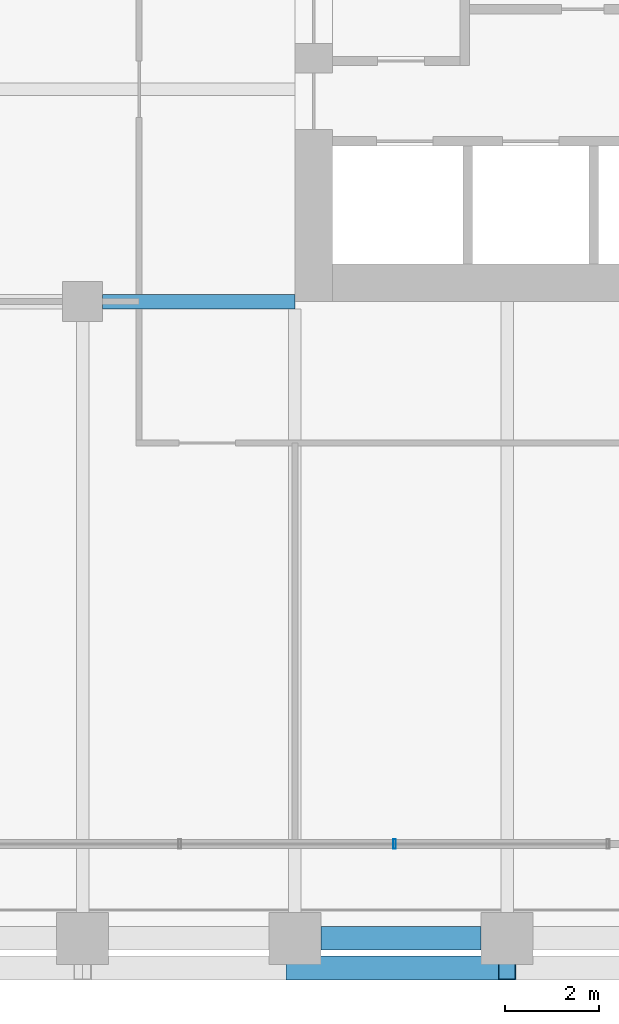
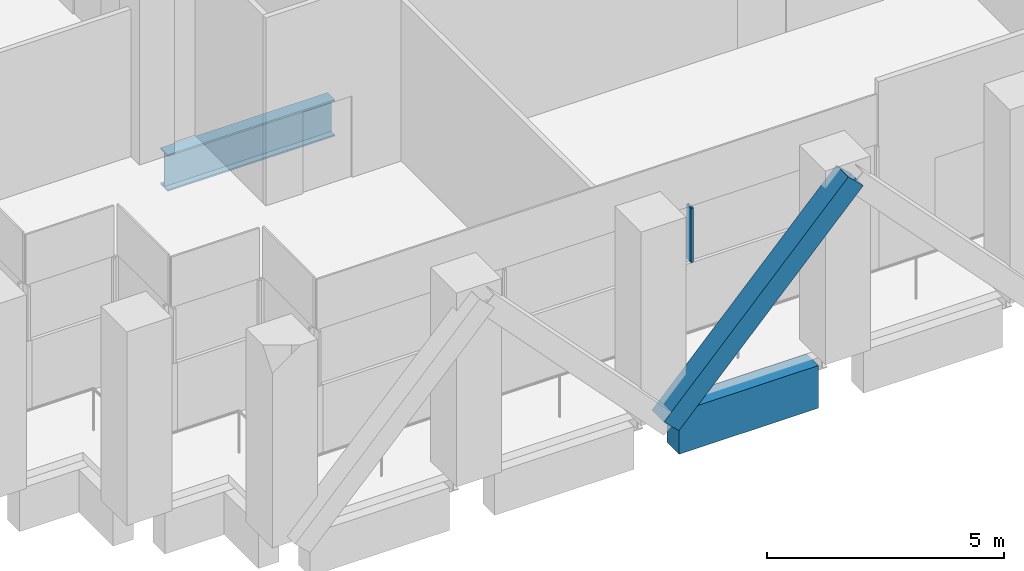
# One storey, part 5 of 44: 2 beams, 2 members, 1 element without a shape of its own.
"""IFC4 building model written with IfcOpenShell, lengths in metres."""

from ifc_helpers import new_model, si_unit, direction, frame, origin, origin_2d, place, context, subcontext, project, spatial, rectangle, hollow_rectangle, i_section, extrude, material, material_profile, profile_set, type_object, element, aggregate, save


model = new_model("IFC4")

# Units and contexts
model_context = context("Model", 3, precision=1e-05, world=origin(), true_north=direction((0.0, 1.0)))
body_context = subcontext(model_context, "Body", "Model", "MODEL_VIEW")
ifc_project = project(units=[si_unit("LENGTHUNIT", "METRE"), si_unit("AREAUNIT", "SQUARE_METRE"), si_unit("VOLUMEUNIT", "CUBIC_METRE"), si_unit("PLANEANGLEUNIT", "RADIAN"), si_unit("MASSUNIT", "GRAM", prefix="KILO")], contexts=[model_context])

# Site, building, storey
site_placement = place(None, origin())
site = spatial("IfcSite", under=ifc_project, at=site_placement, CompositionType="ELEMENT")
building_placement = place(site_placement, origin())
building = spatial("IfcBuilding", under=site, at=building_placement, Name="Altepetl Exchange Towers", CompositionType="ELEMENT")
storey_placement = place(building_placement, frame((0.0, 0.0, 87.0)))
storey = spatial("IfcBuildingStorey", under=building, at=storey_placement, Name="L21 Refuge", CompositionType="ELEMENT", Elevation=87.0)

# Member
ifc_material_1 = material(Name="Steel S355", Category="steel")
ifc_material_profile_1 = material_profile(ifc_material_1, hollow_rectangle(XDim=0.508056640625, YDim=0.508056640625, WallThickness=0.017578125, at=origin_2d()), Name="HSS508X508X19.0")
ifc_profile_set_1 = profile_set([ifc_material_profile_1], Name="Steel S355")
member_type_1 = type_object("IfcMemberType", Name="Belt diagonal HSS508X508X19.0", PredefinedType="BRACE", material=ifc_profile_set_1)
member_1_placement = place(storey_placement, frame((40.5, 26.3701171875, 0.0), z_axis=(0.687744647911, 0.0, 0.725952683906), x_axis=(0.0, 1.0, 0.0)))
element("IfcMember", 1, at=member_1_placement, inside=storey, type_object=member_type_1, Name="brc:A:L21:002", PredefinedType="BRACE", context=body_context, shape_type="SweptSolid", body=[
    extrude(hollow_rectangle(XDim=0.508056640625, YDim=0.508056640625, WallThickness=0.017578125, at=origin_2d()), origin(), (0.0, 0.0, 1.0), 6.543212890625),
])

# Beam
ifc_material_profile_2 = material_profile(ifc_material_1, i_section(OverallWidth=0.30810546875, OverallDepth=0.943115234375, WebThickness=0.022216796875, FlangeThickness=0.039794921875, at=origin_2d()), Name="W36X232")
ifc_profile_set_2 = profile_set([ifc_material_profile_2], Name="Steel S355")
beam_type_1 = type_object("IfcBeamType", Name="Girder W36X232", PredefinedType="BEAM", material=ifc_profile_set_2)
beam_1_placement = place(storey_placement, frame((40.5, 40.5, -0.67138671875), z_axis=(-1.0, 0.0, 0.0), x_axis=(0.0, -1.0, 0.0)))
element("IfcBeam", 2, at=beam_1_placement, inside=storey, type_object=beam_type_1, Name="gd:A:L21:009", PredefinedType="BEAM", context=body_context, shape_type="SweptSolid", body=[
    extrude(i_section(OverallWidth=0.30810546875, OverallDepth=0.943115234375, WebThickness=0.022216796875, FlangeThickness=0.039794921875, at=origin_2d()), origin(), (0.0, 0.0, 1.0), 4.074951171875),
])

# Curtain wall, member
ifc_material_2 = material(Name="Aluminium 6063-T6 glazing", Category="aluminium")
curtain_wall_type = type_object("IfcCurtainWallType", Name="Refuge slit glazing system", PredefinedType="NOTDEFINED", material=ifc_material_2)
curtain_wall_placement = place(storey_placement, origin())
curtain_wall = element("IfcCurtainWall", 3, at=curtain_wall_placement, inside=storey, type_object=curtain_wall_type, Name="CW3 run", PredefinedType="NOTDEFINED")
ifc_material_3 = material(Name="Aluminium 6063-T6", Category="aluminium")
ifc_material_profile_3 = material_profile(ifc_material_3, hollow_rectangle(XDim=0.06005859375, YDim=0.199951171875, WallThickness=0.0029296875, at=origin_2d()), Name="Mullion 60x200 aluminium")
ifc_profile_set_3 = profile_set([ifc_material_profile_3], Name="Aluminium 6063-T6")
member_type_2 = type_object("IfcMemberType", Name="Mullion 60x200 aluminium", PredefinedType="MULLION", material=ifc_profile_set_3)
member_2_placement = place(storey_placement, frame((42.6142578125, 29.0, 1.800048828125)))
member_2 = element("IfcMember", 4, at=member_2_placement, type_object=member_type_2, Name="MU2 mullion", PredefinedType="MULLION", context=body_context, shape_type="SweptSolid", body=[
    extrude(hollow_rectangle(XDim=0.06005859375, YDim=0.199951171875, WallThickness=0.0029296875, at=origin_2d()), origin(), (0.0, 0.0, 1.0), 1.39990234375),
])
aggregate(curtain_wall, [member_2])

# Beam
ifc_material_4 = material(Name="Concrete C50/60 precast with cantera blanca facing", Category="concrete")
ifc_material_profile_4 = material_profile(ifc_material_4, rectangle(XDim=0.5, YDim=1.10009765625, at=origin_2d()), Name="500 x 1100")
ifc_profile_set_4 = profile_set([ifc_material_profile_4], Name="Concrete C50/60 precast with cantera blanca facing")
beam_type_2 = type_object("IfcBeamType", Name="Spandrel beam 500x1100 cantera blanca", PredefinedType="SPANDREL", material=ifc_profile_set_4)
beam_2_placement = place(storey_placement, frame((41.050048828125, 27.0, -0.75), z_axis=(1.0, 0.0, 0.0), x_axis=(0.0, 1.0, 0.0)))
element("IfcBeam", 5, at=beam_2_placement, inside=storey, type_object=beam_type_2, Name="sp:A:L21:002", PredefinedType="SPANDREL", context=body_context, shape_type="SweptSolid", body=[
    extrude(rectangle(XDim=0.5, YDim=1.10009765625, at=origin_2d()), origin(), (0.0, 0.0, 1.0), 3.39990234375),
])

save(model, "model.ifc")
